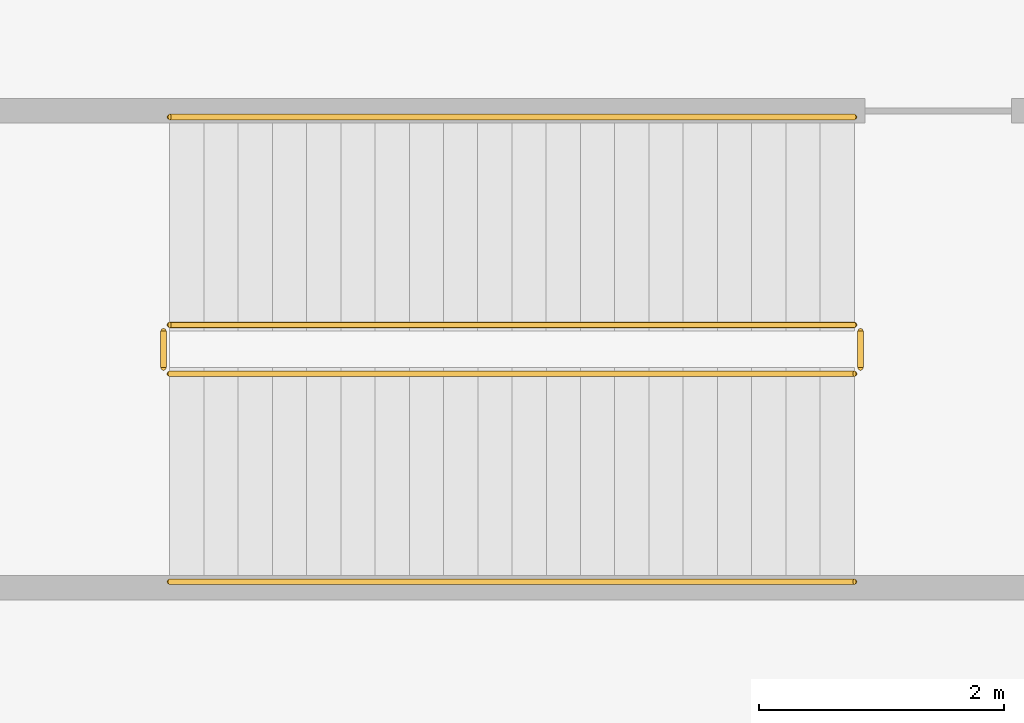
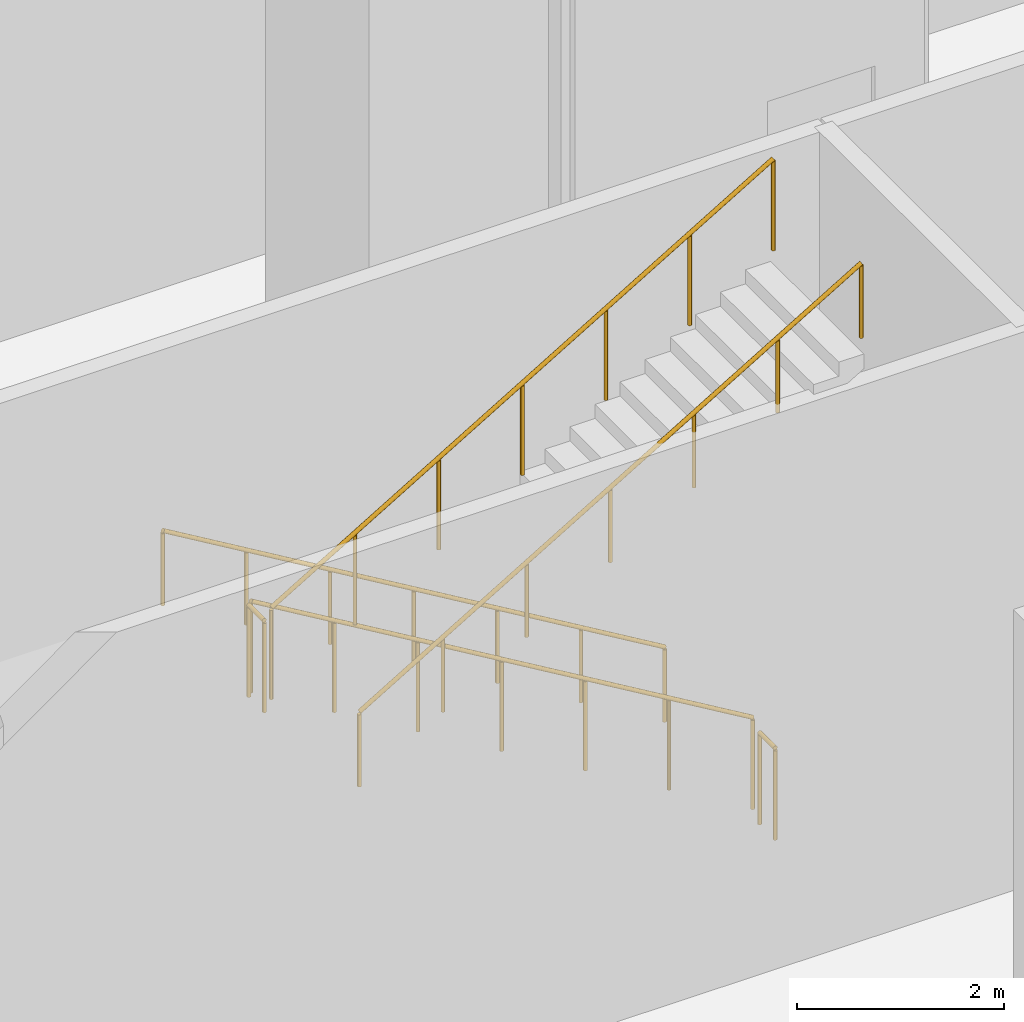
# One storey, part 19 of 30: 6 railings.
"""IFC4 building model written with IfcOpenShell, lengths in metres."""

from ifc_helpers import new_model, si_unit, direction, frame, origin, origin_2d, place, context, subcontext, project, spatial, circle, extrude, material, type_object, element, save


model = new_model("IFC4")

# Units and contexts
model_context = context("Model", 3, precision=1e-05, world=origin(), true_north=direction((0.0, 1.0)))
body_context = subcontext(model_context, "Body", "Model", "MODEL_VIEW")
ifc_project = project(units=[si_unit("LENGTHUNIT", "METRE"), si_unit("AREAUNIT", "SQUARE_METRE"), si_unit("VOLUMEUNIT", "CUBIC_METRE"), si_unit("PLANEANGLEUNIT", "RADIAN"), si_unit("MASSUNIT", "GRAM", prefix="KILO")], contexts=[model_context])

# Site, building, storey
site_placement = place(None, origin())
site = spatial("IfcSite", under=ifc_project, at=site_placement, CompositionType="ELEMENT")
building_placement = place(site_placement, origin())
building = spatial("IfcBuilding", under=site, at=building_placement, Name="Tamarind Cross Interchange Tower", CompositionType="ELEMENT")
storey_placement = place(building_placement, frame((0.0, 0.0, -14.0)))
storey = spatial("IfcBuildingStorey", under=building, at=storey_placement, Name="B2", CompositionType="ELEMENT", Elevation=-14.0)

# Railings
ifc_material_1 = material(Name="Public stair guard")
railing_type_1 = type_object("IfcRailingType", Name="Public stair guard", PredefinedType="GUARDRAIL", material=ifc_material_1)
railing_1_placement = place(storey_placement, frame((53.699951171875, -33.25, 0.166748046875)))
element("IfcRailing", 1, at=railing_1_placement, inside=storey, type_object=railing_type_1, Name="B2 XS-P10 stair guard 1", PredefinedType="GUARDRAIL", context=body_context, shape_type="SweptSolid", body=[
    extrude(circle(Radius=0.02392578125, at=origin_2d()), frame((0.0, 0.0, 1.076171875), z_axis=(-0.859292492371, 0.0, 0.511484518392), x_axis=(0.0, -1.0, 0.0)), (0.0, 0.0, 1.0), 6.516845703125),
    extrude(circle(Radius=0.02099609375, at=origin_2d()), origin(), (0.0, 0.0, 1.0), 1.052001953125),
    extrude(circle(Radius=0.02099609375, at=origin_2d()), frame((-0.933349609375, 0.0, 0.5556640625)), (0.0, 0.0, 1.0), 1.052001953125),
    extrude(circle(Radius=0.02099609375, at=origin_2d()), frame((-1.86669921875, 0.0, 1.111083984375)), (0.0, 0.0, 1.0), 1.052001953125),
    extrude(circle(Radius=0.02099609375, at=origin_2d()), frame((-2.7998046875, 0.0, 1.66650390625)), (0.0, 0.0, 1.0), 1.052001953125),
    extrude(circle(Radius=0.02099609375, at=origin_2d()), frame((-3.733154296875, 0.0, 2.22216796875)), (0.0, 0.0, 1.0), 1.052001953125),
    extrude(circle(Radius=0.02099609375, at=origin_2d()), frame((-4.66650390625, 0.0, 2.77783203125)), (0.0, 0.0, 1.0), 1.052001953125),
    extrude(circle(Radius=0.02099609375, at=origin_2d()), frame((-5.599853515625, 0.0, 3.333251953125)), (0.0, 0.0, 1.0), 1.052001953125),
])
railing_2_placement = place(storey_placement, frame((48.050048828125, -33.300048828125, 3.5)))
element("IfcRailing", 2, at=railing_2_placement, inside=storey, type_object=railing_type_1, Name="B2 XS-P10 stair guard 2", PredefinedType="GUARDRAIL", context=body_context, shape_type="SweptSolid", body=[
    extrude(circle(Radius=0.02392578125, at=origin_2d()), frame((0.0, 0.0, 1.076171875), z_axis=(0.0, -1.0, 0.0), x_axis=(1.0, 0.0, 0.0)), (0.0, 0.0, 1.0), 0.300048828125),
    extrude(circle(Radius=0.02099609375, at=origin_2d()), origin(), (0.0, 0.0, 1.0), 1.052001953125),
    extrude(circle(Radius=0.02099609375, at=origin_2d()), frame((0.0, -0.300048828125, 0.0)), (0.0, 0.0, 1.0), 1.052001953125),
])
railing_3_placement = place(storey_placement, frame((48.10009765625, -33.64990234375, 3.666748046875)))
element("IfcRailing", 3, at=railing_3_placement, inside=storey, type_object=railing_type_1, Name="B2 XS-P10 stair guard 3", PredefinedType="GUARDRAIL", context=body_context, shape_type="SweptSolid", body=[
    extrude(circle(Radius=0.02392578125, at=origin_2d()), frame((0.0, 0.0, 1.076171875), z_axis=(0.859292492371, 0.0, 0.511484518392), x_axis=(0.0, 1.0, 0.0)), (0.0, 0.0, 1.0), 6.516845703125),
    extrude(circle(Radius=0.02099609375, at=origin_2d()), origin(), (0.0, 0.0, 1.0), 1.052001953125),
    extrude(circle(Radius=0.02099609375, at=origin_2d()), frame((0.933349609375, 0.0, 0.5556640625)), (0.0, 0.0, 1.0), 1.052001953125),
    extrude(circle(Radius=0.02099609375, at=origin_2d()), frame((1.86669921875, 0.0, 1.111083984375)), (0.0, 0.0, 1.0), 1.052001953125),
    extrude(circle(Radius=0.02099609375, at=origin_2d()), frame((2.7998046875, 0.0, 1.66650390625)), (0.0, 0.0, 1.0), 1.052001953125),
    extrude(circle(Radius=0.02099609375, at=origin_2d()), frame((3.733154296875, 0.0, 2.22216796875)), (0.0, 0.0, 1.0), 1.052001953125),
    extrude(circle(Radius=0.02099609375, at=origin_2d()), frame((4.66650390625, 0.0, 2.77783203125)), (0.0, 0.0, 1.0), 1.052001953125),
    extrude(circle(Radius=0.02099609375, at=origin_2d()), frame((5.599853515625, 0.0, 3.333251953125)), (0.0, 0.0, 1.0), 1.052001953125),
])
railing_4_placement = place(storey_placement, frame((53.75, -33.300048828125, 0.0)))
element("IfcRailing", 4, at=railing_4_placement, inside=storey, type_object=railing_type_1, Name="B2 XS-P10 stair guard 4", PredefinedType="GUARDRAIL", context=body_context, shape_type="SweptSolid", body=[
    extrude(circle(Radius=0.02392578125, at=origin_2d()), frame((0.0, 0.0, 1.076171875), z_axis=(0.0, -1.0, 0.0), x_axis=(1.0, 0.0, 0.0)), (0.0, 0.0, 1.0), 0.300048828125),
    extrude(circle(Radius=0.02099609375, at=origin_2d()), origin(), (0.0, 0.0, 1.0), 1.052001953125),
    extrude(circle(Radius=0.02099609375, at=origin_2d()), frame((0.0, -0.300048828125, 0.0)), (0.0, 0.0, 1.0), 1.052001953125),
])
ifc_material_2 = material(Name="Public stair handrail")
railing_type_2 = type_object("IfcRailingType", Name="Public stair handrail", PredefinedType="HANDRAIL", material=ifc_material_2)
railing_5_placement = place(storey_placement, frame((53.699951171875, -31.550048828125, 0.166748046875)))
element("IfcRailing", 5, at=railing_5_placement, inside=storey, type_object=railing_type_2, Name="B2 XS-P10 stair handrail 1", PredefinedType="HANDRAIL", context=body_context, shape_type="SweptSolid", body=[
    extrude(circle(Radius=0.02392578125, at=origin_2d()), frame((0.0, 0.0, 0.8759765625), z_axis=(-0.859292492371, 0.0, 0.511484518392), x_axis=(0.0, -1.0, 0.0)), (0.0, 0.0, 1.0), 6.516845703125),
    extrude(circle(Radius=0.02099609375, at=origin_2d()), origin(), (0.0, 0.0, 1.0), 0.851806640625),
    extrude(circle(Radius=0.02099609375, at=origin_2d()), frame((-0.933349609375, 0.0, 0.5556640625)), (0.0, 0.0, 1.0), 0.851806640625),
    extrude(circle(Radius=0.02099609375, at=origin_2d()), frame((-1.86669921875, 0.0, 1.111083984375)), (0.0, 0.0, 1.0), 0.851806640625),
    extrude(circle(Radius=0.02099609375, at=origin_2d()), frame((-2.7998046875, 0.0, 1.66650390625)), (0.0, 0.0, 1.0), 0.851806640625),
    extrude(circle(Radius=0.02099609375, at=origin_2d()), frame((-3.733154296875, 0.0, 2.22216796875)), (0.0, 0.0, 1.0), 0.851806640625),
    extrude(circle(Radius=0.02099609375, at=origin_2d()), frame((-4.66650390625, 0.0, 2.77783203125)), (0.0, 0.0, 1.0), 0.851806640625),
    extrude(circle(Radius=0.02099609375, at=origin_2d()), frame((-5.599853515625, 0.0, 3.333251953125)), (0.0, 0.0, 1.0), 0.851806640625),
])
railing_6_placement = place(storey_placement, frame((48.10009765625, -35.35009765625, 3.666748046875)))
element("IfcRailing", 6, at=railing_6_placement, inside=storey, type_object=railing_type_2, Name="B2 XS-P10 stair handrail 2", PredefinedType="HANDRAIL", context=body_context, shape_type="SweptSolid", body=[
    extrude(circle(Radius=0.02392578125, at=origin_2d()), frame((0.0, 0.0, 0.8759765625), z_axis=(0.859292492371, 0.0, 0.511484518392), x_axis=(0.0, 1.0, 0.0)), (0.0, 0.0, 1.0), 6.516845703125),
    extrude(circle(Radius=0.02099609375, at=origin_2d()), origin(), (0.0, 0.0, 1.0), 0.851806640625),
    extrude(circle(Radius=0.02099609375, at=origin_2d()), frame((0.933349609375, 0.0, 0.5556640625)), (0.0, 0.0, 1.0), 0.851806640625),
    extrude(circle(Radius=0.02099609375, at=origin_2d()), frame((1.86669921875, 0.0, 1.111083984375)), (0.0, 0.0, 1.0), 0.851806640625),
    extrude(circle(Radius=0.02099609375, at=origin_2d()), frame((2.7998046875, 0.0, 1.66650390625)), (0.0, 0.0, 1.0), 0.851806640625),
    extrude(circle(Radius=0.02099609375, at=origin_2d()), frame((3.733154296875, 0.0, 2.22216796875)), (0.0, 0.0, 1.0), 0.851806640625),
    extrude(circle(Radius=0.02099609375, at=origin_2d()), frame((4.66650390625, 0.0, 2.77783203125)), (0.0, 0.0, 1.0), 0.851806640625),
    extrude(circle(Radius=0.02099609375, at=origin_2d()), frame((5.599853515625, 0.0, 3.333251953125)), (0.0, 0.0, 1.0), 0.851806640625),
])

save(model, "model.ifc")
